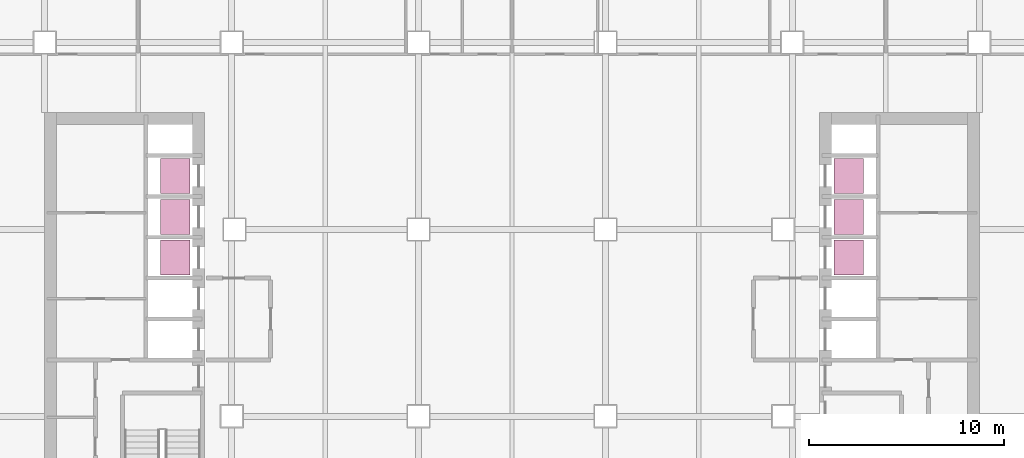
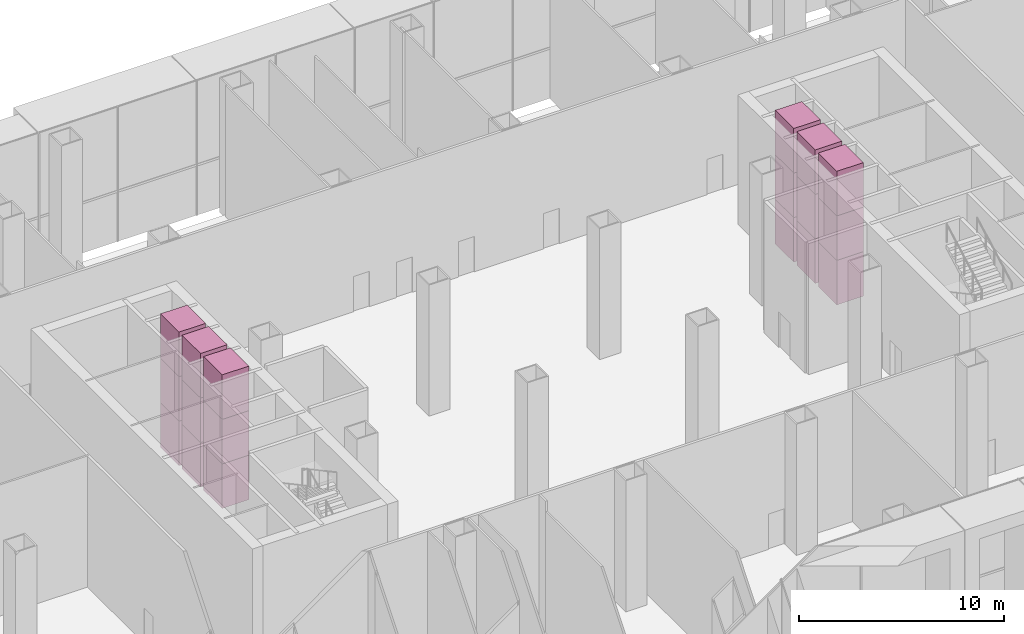
# One storey, part 24 of 24: 18 transport elements.
"""IFC4 building model written with IfcOpenShell, lengths in metres."""

from ifc_helpers import new_model, si_unit, direction, frame, origin, origin_2d, place, context, subcontext, project, spatial, rectangle, extrude, material, type_object, element, save


model = new_model("IFC4")

# Units and contexts
model_context = context("Model", 3, precision=1e-05, world=origin(), true_north=direction((0.0, 1.0)))
body_context = subcontext(model_context, "Body", "Model", "MODEL_VIEW")
ifc_project = project(units=[si_unit("LENGTHUNIT", "METRE"), si_unit("AREAUNIT", "SQUARE_METRE"), si_unit("VOLUMEUNIT", "CUBIC_METRE"), si_unit("PLANEANGLEUNIT", "RADIAN"), si_unit("MASSUNIT", "GRAM", prefix="KILO")], contexts=[model_context])

# Site, building, storey
site_placement = place(None, origin())
site = spatial("IfcSite", under=ifc_project, at=site_placement, CompositionType="ELEMENT")
building_placement = place(site_placement, origin())
building = spatial("IfcBuilding", under=site, at=building_placement, Name="Cobrizo Arcos Hotel Tower", CompositionType="ELEMENT")
storey_placement = place(building_placement, frame((0.0, 0.0, 7.5)))
storey = spatial("IfcBuildingStorey", under=building, at=storey_placement, Name="L01", CompositionType="ELEMENT", Elevation=7.5)

# Transport elements
ifc_material = material(Name="Stainless steel car", Category="steel")
transport_element_type = type_object("IfcTransportElementType", Name="Lift car Low 1.8x1.5", PredefinedType="ELEVATOR", material=ifc_material)
for number, where, z_axis, x_axis, name in (
    (1, (-17.300048828125, 3.35009765625, 0.0), (0.0, 0.0, 1.0), (1.0, 0.0, 0.0), "Low-rise passenger lift W1"),
    (2, (-17.300048828125, 3.35009765625, 2.650146484375), (0.0, 0.0, 1.0), (1.0, 0.0, 0.0), "Low-rise passenger lift W1"),
    (3, (-17.300048828125, 3.35009765625, 5.300048828125), (0.0, 0.0, 1.0), (1.0, 0.0, 0.0), "Low-rise passenger lift W1"),
    (4, (-17.300048828125, 5.449951171875, 0.0), (0.0, 0.0, 1.0), (1.0, 0.0, 0.0), "Low-rise passenger lift W2"),
    (5, (-17.300048828125, 5.449951171875, 2.650146484375), (0.0, 0.0, 1.0), (1.0, 0.0, 0.0), "Low-rise passenger lift W2"),
    (6, (-17.300048828125, 5.449951171875, 5.300048828125), (0.0, 0.0, 1.0), (1.0, 0.0, 0.0), "Low-rise passenger lift W2"),
    (7, (-17.300048828125, 7.550048828125, 0.0), (0.0, 0.0, 1.0), (1.0, 0.0, 0.0), "Low-rise passenger lift W3"),
    (8, (-17.300048828125, 7.550048828125, 2.650146484375), (0.0, 0.0, 1.0), (1.0, 0.0, 0.0), "Low-rise passenger lift W3"),
    (9, (-17.300048828125, 7.550048828125, 5.300048828125), (0.0, 0.0, 1.0), (1.0, 0.0, 0.0), "Low-rise passenger lift W3"),
    (10, (17.300048828125, 3.35009765625, 0.0), (0.0, 0.0, 1.0), (1.0, 0.0, 0.0), "Low-rise passenger lift E1"),
    (11, (17.300048828125, 3.35009765625, 2.650146484375), (0.0, 0.0, 1.0), (1.0, 0.0, 0.0), "Low-rise passenger lift E1"),
    (12, (17.300048828125, 3.35009765625, 5.300048828125), (0.0, 0.0, 1.0), (1.0, 0.0, 0.0), "Low-rise passenger lift E1"),
    (13, (17.300048828125, 5.449951171875, 0.0), (0.0, 0.0, 1.0), (1.0, 0.0, 0.0), "Low-rise passenger lift E2"),
    (14, (17.300048828125, 5.449951171875, 2.650146484375), (0.0, 0.0, 1.0), (1.0, 0.0, 0.0), "Low-rise passenger lift E2"),
    (15, (17.300048828125, 5.449951171875, 5.300048828125), (0.0, 0.0, 1.0), (1.0, 0.0, 0.0), "Low-rise passenger lift E2"),
    (16, (17.300048828125, 7.550048828125, 0.0), (0.0, 0.0, 1.0), (1.0, 0.0, 0.0), "Low-rise passenger lift E3"),
    (17, (17.300048828125, 7.550048828125, 2.650146484375), (0.0, 0.0, 1.0), (1.0, 0.0, 0.0), "Low-rise passenger lift E3"),
    (18, (17.300048828125, 7.550048828125, 5.300048828125), (0.0, 0.0, 1.0), (1.0, 0.0, 0.0), "Low-rise passenger lift E3"),
):
    element("IfcTransportElement", number, at=place(storey_placement, frame(where, z_axis=z_axis, x_axis=x_axis)), inside=storey, type_object=transport_element_type, Name=name, PredefinedType="ELEVATOR", context=body_context, shape_type="SweptSolid", body=[
        extrude(rectangle(XDim=1.5, YDim=1.800048828125, at=origin_2d()), origin(), (0.0, 0.0, 1.0), 2.64990234375),
    ])

save(model, "model.ifc")
